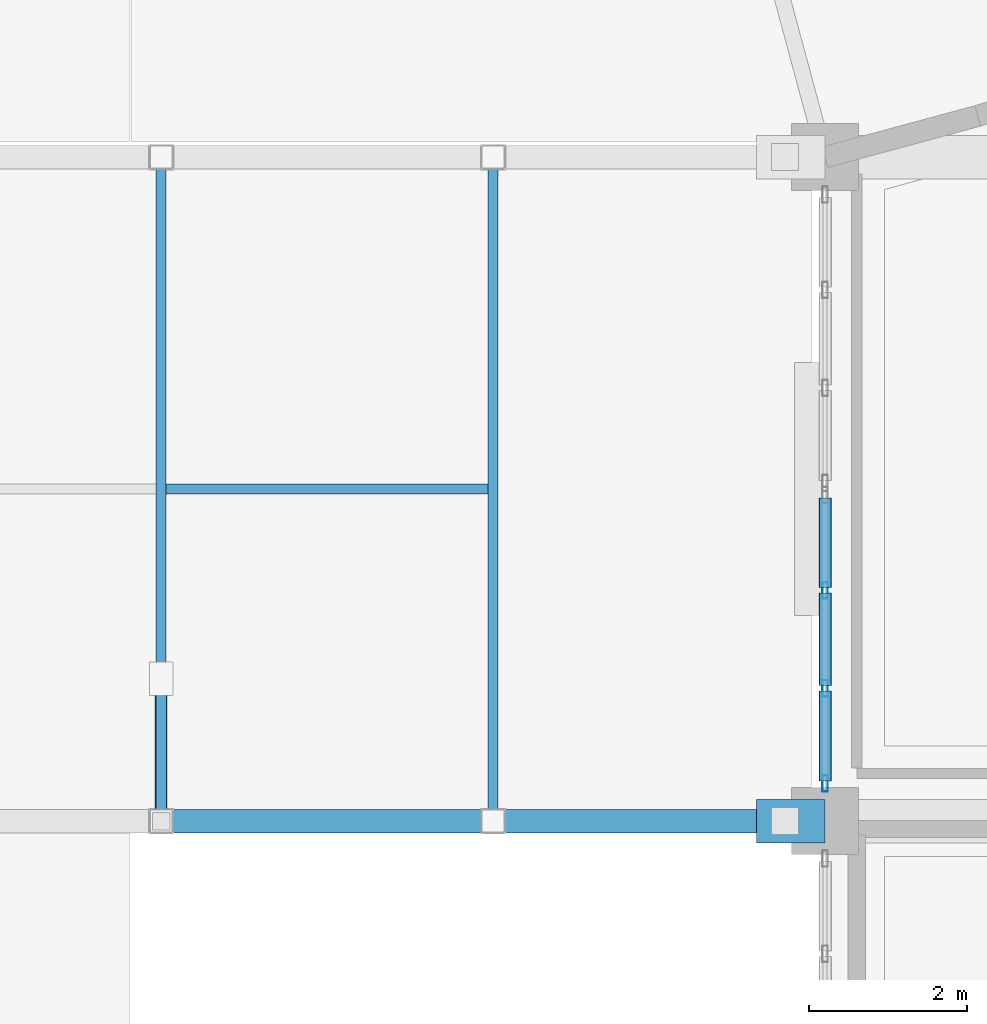
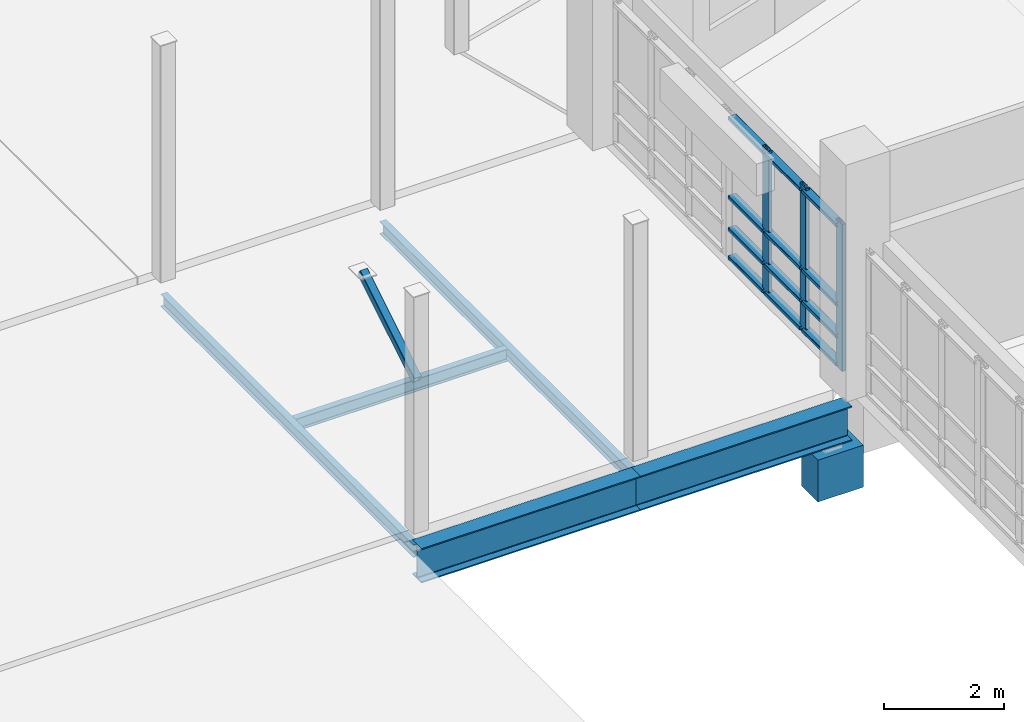
# One storey, part 23 of 97: 16 members, 6 beams, 1 element without a shape of its own.
"""IFC4 building model written with IfcOpenShell, lengths in metres."""

import ifcopenshell
import ifcopenshell.guid

model = None  # the IFC model being written
_history = None  # IfcOwnerHistory: only IFC2X3 demands one
_inside = {}  # id of a spatial element -> (the spatial element, [elements in it])
_under = {}  # id of a project, library or spatial element -> (it, [spatial elements below it])
_declared = {}  # id of a project -> (the project, [libraries it declares])
_typed = {}  # id of a type object -> (the type object, [elements of that type])
_made_of = {}  # id of a material, layer set ... -> (it, [elements and type objects made of it])


def new_model(schema):
    """Start an empty IFC model of exactly this schema.

    Asked for "IFC4X3", IfcOpenShell would pick the latest addendum, in which some entities
    have other attributes; the version numbers below select the first issue.
    IFC2X3 requires an IfcOwnerHistory on every rooted entity: one is made here for all.
    """
    global model, _history
    if schema == "IFC4X3":
        model = ifcopenshell.file(schema_version=(4, 3, 0, 0))
    else:
        model = ifcopenshell.file(schema=schema)
    _inside.clear()
    _under.clear()
    _declared.clear()
    _typed.clear()
    _made_of.clear()
    _history = None
    if model.schema == "IFC2X3":
        org = make("IfcOrganization", Name="unknown")
        user = make(
            "IfcPersonAndOrganization",
            ThePerson=make("IfcPerson", FamilyName="unknown"),
            TheOrganization=org,
        )
        app = make(
            "IfcApplication",
            ApplicationDeveloper=org,
            Version="unknown",
            ApplicationFullName="unknown",
            ApplicationIdentifier="unknown",
        )
        _history = make(
            "IfcOwnerHistory",
            OwningUser=user,
            OwningApplication=app,
            ChangeAction="ADDED",
            CreationDate=0,
        )
    return model


def make(cls, **values):
    """One entity of the class cls with the attributes given. An attribute that is None is left unset."""
    return model.create_entity(
        cls, **{name: value for name, value in values.items() if value is not None}
    )


def rooted(cls, **values):
    """An entity with a GlobalId (a new one), such as an element, a storey or a relation."""
    return make(cls, GlobalId=ifcopenshell.guid.new(), OwnerHistory=_history, **values)


def si_unit(unit_type, name, prefix=None):
    """IfcSIUnit, for example si_unit("LENGTHUNIT", "METRE", prefix="MILLI")."""
    return make("IfcSIUnit", UnitType=unit_type, Prefix=prefix, Name=name)


def assignment(units):
    """IfcUnitAssignment: the units of a project."""
    return None if units is None else make("IfcUnitAssignment", Units=units)


def point(xyz):
    """IfcCartesianPoint."""
    return None if xyz is None else make("IfcCartesianPoint", Coordinates=xyz)


def direction(xyz):
    """IfcDirection."""
    return None if xyz is None else make("IfcDirection", DirectionRatios=xyz)


def frame(location, z_axis=None, x_axis=None):
    """IfcAxis2Placement3D, a coordinate frame: its origin and axes. An axis left out is left unset."""
    return make(
        "IfcAxis2Placement3D",
        Location=point(location),
        Axis=direction(z_axis),
        RefDirection=direction(x_axis),
    )


def frame_2d(location, x_axis=None):
    """IfcAxis2Placement2D, a coordinate frame in the plane: its origin and x axis."""
    return make(
        "IfcAxis2Placement2D", Location=point(location), RefDirection=direction(x_axis)
    )


def origin():
    """The frame at (0, 0, 0) with its axes left unset."""
    return frame((0.0, 0.0, 0.0))


def origin_2d():
    """The frame at (0, 0) in the plane with its x axis left unset."""
    return frame_2d((0.0, 0.0))


def place(relative_to, where):
    """IfcLocalPlacement: puts the frame where relative to a parent placement (None: the world)."""
    return make(
        "IfcLocalPlacement", PlacementRelTo=relative_to, RelativePlacement=where
    )


def context(
    kind, dimensions, precision=None, world=None, true_north=None, identifier=None
):
    """IfcGeometricRepresentationContext, for example the 3D "Model" context."""
    return make(
        "IfcGeometricRepresentationContext",
        ContextIdentifier=identifier,
        ContextType=kind,
        CoordinateSpaceDimension=dimensions,
        Precision=precision,
        WorldCoordinateSystem=world,
        TrueNorth=true_north,
    )


def subcontext(parent, identifier, kind, view, scale=None):
    """IfcGeometricRepresentationSubContext, for example "Body" below "Model"."""
    return make(
        "IfcGeometricRepresentationSubContext",
        ContextIdentifier=identifier,
        ContextType=kind,
        ParentContext=parent,
        TargetScale=scale,
        TargetView=view,
    )


def project(units=None, contexts=None):
    """IfcProject with its units and contexts."""
    return rooted(
        "IfcProject",
        Name="project",
        RepresentationContexts=contexts,
        UnitsInContext=assignment(units),
    )


def spatial(cls, under=None, at=None, **own):
    """A site, building, storey or space (cls), placed at a placement, below another one or the project."""
    s = rooted(cls, ObjectPlacement=at, **own)
    if under is not None:
        _under.setdefault(under.id(), (under, []))[1].append(s)
    return s


def profile(cls, at=None, kind="AREA", **sizes):
    """A parametric profile (cls). Its sizes go by their IFC names, for example OverallWidth=200.0."""
    return make(cls, ProfileType=kind, Position=at, **sizes)


def rectangle(**sizes):
    """IfcRectangleProfileDef."""
    return profile("IfcRectangleProfileDef", **sizes)


def hollow_rectangle(**sizes):
    """IfcRectangleHollowProfileDef."""
    return profile("IfcRectangleHollowProfileDef", **sizes)


def i_section(**sizes):
    """IfcIShapeProfileDef."""
    return profile("IfcIShapeProfileDef", **sizes)


def extrude(swept, where, along, depth):
    """IfcExtrudedAreaSolid: the profile swept, set in the frame where, extruded along a direction by depth."""
    return make(
        "IfcExtrudedAreaSolid",
        SweptArea=swept,
        Position=where,
        ExtrudedDirection=direction(along),
        Depth=depth,
    )


def shape(context_of_items, identifier, shape_type, items):
    """IfcShapeRepresentation: the items that make up one representation, for example the "Body"."""
    return make(
        "IfcShapeRepresentation",
        ContextOfItems=context_of_items,
        RepresentationIdentifier=identifier,
        RepresentationType=shape_type,
        Items=items,
    )


def material(Name=None, Category=None):
    """IfcMaterial."""
    return make("IfcMaterial", Name=Name, Category=Category)


def layer(
    of_material, thickness, ventilated=None, Name=None, Category=None, Priority=None
):
    """IfcMaterialLayer: one layer of a wall or slab, of a material (None: an air gap)."""
    return make(
        "IfcMaterialLayer",
        Material=of_material,
        LayerThickness=thickness,
        IsVentilated=ventilated,
        Name=Name,
        Category=Category,
        Priority=Priority,
    )


def layer_set(layers, Name=None):
    """IfcMaterialLayerSet."""
    return make("IfcMaterialLayerSet", MaterialLayers=layers, LayerSetName=Name)


def material_profile(
    of_material, cross_section, Name=None, Category=None, Priority=None
):
    """IfcMaterialProfile: a cross section and its material."""
    return make(
        "IfcMaterialProfile",
        Name=Name,
        Material=of_material,
        Profile=cross_section,
        Priority=Priority,
        Category=Category,
    )


def profile_set(profiles, Name=None, composite=None):
    """IfcMaterialProfileSet."""
    return make(
        "IfcMaterialProfileSet",
        Name=Name,
        MaterialProfiles=profiles,
        CompositeProfile=composite,
    )


def made_of(thing, what):
    """Note that an element or type object is made of a material, layer set ...; save() writes the relation."""
    if what is not None:
        _made_of.setdefault(what.id(), (what, []))[1].append(thing)
    return thing


def type_object(cls, material=None, **own):
    """A type object (cls), such as IfcWallType, which elements share."""
    return made_of(rooted(cls, **own), material)


def element(
    cls,
    number,
    at=None,
    inside=None,
    cuts=None,
    type_object=None,
    material=None,
    context=None,
    identifier="Body",
    shape_type=None,
    held_by="IfcProductDefinitionShape",
    body=None,
    shapes=None,
    **own,
):
    """One element of the class cls, such as IfcWall. Its Tag is "e" and its number.

    at: its placement. inside: the storey or other place that contains it. cuts: it is an
    opening in that element (IfcRelVoidsElement). A single representation is given by context,
    identifier, shape_type and body (its items); several are given by shapes. held_by: the class
    of the entity that holds the representations. save() writes the other relations.
    """
    e = rooted(cls, Tag="e%d" % number, ObjectPlacement=at, **own)
    if body is not None:
        shapes = [shape(context, identifier, shape_type, body)]
    if shapes is not None:
        e.Representation = make(held_by, Representations=shapes)
    if inside is not None:
        _inside.setdefault(inside.id(), (inside, []))[1].append(e)
    if cuts is not None:
        rooted(
            "IfcRelVoidsElement", RelatingBuildingElement=cuts, RelatedOpeningElement=e
        )
    if type_object is not None:
        _typed.setdefault(type_object.id(), (type_object, []))[1].append(e)
    return made_of(e, material)


def aggregate(whole, parts):
    """IfcRelAggregates: a whole, such as a stair, and the parts it consists of."""
    return rooted("IfcRelAggregates", RelatingObject=whole, RelatedObjects=parts)


def save(model, path):
    """Write the relations noted so far, then the file.

    IfcRelAggregates (storeys below a building ...), IfcRelContainedInSpatialStructure (elements
    in a storey), IfcRelDefinesByType, IfcRelAssociatesMaterial and IfcRelDeclares: one each for
    every whole, place, type object, material and project.
    """
    for whole, parts in _under.values():
        aggregate(whole, parts)
    for where, things in _inside.values():
        rooted(
            "IfcRelContainedInSpatialStructure",
            RelatedElements=things,
            RelatingStructure=where,
        )
    for kind, things in _typed.values():
        rooted("IfcRelDefinesByType", RelatedObjects=things, RelatingType=kind)
    for what, things in _made_of.values():
        rooted("IfcRelAssociatesMaterial", RelatedObjects=things, RelatingMaterial=what)
    for by, libraries in _declared.values():
        rooted("IfcRelDeclares", RelatingContext=by, RelatedDefinitions=libraries)
    model.write(path)


model = new_model("IFC4")

# Units and contexts
model_context = context("Model", 3, precision=1e-05, world=origin(), true_north=direction((0.0, 1.0)))
body_context = subcontext(model_context, "Body", "Model", "MODEL_VIEW")
ifc_project = project(units=[si_unit("LENGTHUNIT", "METRE"), si_unit("AREAUNIT", "SQUARE_METRE"), si_unit("VOLUMEUNIT", "CUBIC_METRE"), si_unit("PLANEANGLEUNIT", "RADIAN"), si_unit("MASSUNIT", "GRAM", prefix="KILO")], contexts=[model_context])

# Site, building, storey
site_placement = place(None, origin())
site = spatial("IfcSite", under=ifc_project, at=site_placement, CompositionType="ELEMENT")
building_placement = place(site_placement, origin())
building = spatial("IfcBuilding", under=site, at=building_placement, Name="Kisaragi Civic Commons", CompositionType="ELEMENT")
storey_placement = place(building_placement, origin())
storey = spatial("IfcBuildingStorey", under=building, at=storey_placement, Name="L00", CompositionType="ELEMENT", Elevation=0.0)

# Beam
ifc_material_1 = material(Name="Concrete Fc36", Category="concrete")
ifc_material_profile_1 = material_profile(ifc_material_1, rectangle(XDim=0.550048828125, YDim=0.85009765625, at=origin_2d()), Name="RC-550x850", Category="concrete")
ifc_profile_set_1 = profile_set([ifc_material_profile_1], Name="Concrete Fc36")
beam_type_1 = type_object("IfcBeamType", Name="CB-01", PredefinedType="BEAM", material=ifc_profile_set_1)
beam_1_placement = place(storey_placement, frame((105.60009765625, 8.39990234375, -1.530029296875), z_axis=(-1.0, 0.0, 0.0), x_axis=(0.0, -1.0, 0.0)))
element("IfcBeam", 1, at=beam_1_placement, inside=storey, type_object=beam_type_1, Name="BR-V1-V3 L00 seismic corbel 178", PredefinedType="BEAM", context=body_context, shape_type="SweptSolid", body=[
    extrude(rectangle(XDim=0.550048828125, YDim=0.85009765625, at=origin_2d()), origin(), (0.0, 0.0, 1.0), 0.8701171875),
])

# Curtain wall, members
ifc_material_2 = material(Name="Thermally broken anodized aluminium and low-E double glazing", Category="aluminium")
ifc_layer = layer(ifc_material_2, 0.2099609375, Name="Thermally broken anodized aluminium and low-E double glazing", Category="aluminium")
ifc_layer_set = layer_set([ifc_layer], Name="Thermally broken anodized aluminium and low-E double glazing")
curtain_wall_type = type_object("IfcCurtainWallType", Name="CW-02", PredefinedType="NOTDEFINED", material=ifc_layer_set)
curtain_wall_placement = place(storey_placement, origin())
curtain_wall = element("IfcCurtainWall", 2, at=curtain_wall_placement, inside=storey, type_object=curtain_wall_type, Name="L00 curtain wall CW-02 CW-V3-L00-017", PredefinedType="NOTDEFINED")
ifc_material_profile_2 = material_profile(ifc_material_2, hollow_rectangle(XDim=0.070068359375, YDim=0.2099609375, WallThickness=0.0048828125, InnerFilletRadius=0.0048828125, OuterFilletRadius=0.010009765625, at=origin_2d()), Name="CWM-70x210x5", Category="aluminium")
ifc_profile_set_2 = profile_set([ifc_material_profile_2], Name="Thermally broken anodized aluminium and low-E double glazing")
member_type_1 = type_object("IfcMemberType", Name="CWM-03", PredefinedType="MULLION", material=ifc_profile_set_2)
member_1_placement = place(storey_placement, frame((105.60009765625, 8.875, 0.0), z_axis=(0.0, 0.0, 1.0), x_axis=(-1.0, 0.0, 0.0)))
member_1 = element("IfcMember", 3, at=member_1_placement, type_object=member_type_1, Name="CW-02 mullion 1", PredefinedType="MULLION", context=body_context, shape_type="SweptSolid", body=[
    extrude(hollow_rectangle(XDim=0.070068359375, YDim=0.2099609375, WallThickness=0.0048828125, InnerFilletRadius=0.0048828125, OuterFilletRadius=0.010009765625, at=origin_2d()), origin(), (0.0, 0.0, 1.0), 2.97998046875),
])
member_2_placement = place(storey_placement, frame((105.60009765625, 10.080078125, 0.0), z_axis=(0.0, 0.0, 1.0), x_axis=(-1.0, 0.0, 0.0)))
member_2 = element("IfcMember", 4, at=member_2_placement, type_object=member_type_1, Name="CW-02 mullion 2", PredefinedType="MULLION", context=body_context, shape_type="SweptSolid", body=[
    extrude(hollow_rectangle(XDim=0.070068359375, YDim=0.2099609375, WallThickness=0.0048828125, InnerFilletRadius=0.0048828125, OuterFilletRadius=0.010009765625, at=origin_2d()), origin(), (0.0, 0.0, 1.0), 2.97998046875),
])
member_3_placement = place(storey_placement, frame((105.60009765625, 11.320068359375, 0.0), z_axis=(0.0, 0.0, 1.0), x_axis=(-1.0, 0.0, 0.0)))
member_3 = element("IfcMember", 5, at=member_3_placement, type_object=member_type_1, Name="CW-02 mullion 3", PredefinedType="MULLION", context=body_context, shape_type="SweptSolid", body=[
    extrude(hollow_rectangle(XDim=0.070068359375, YDim=0.2099609375, WallThickness=0.0048828125, InnerFilletRadius=0.0048828125, OuterFilletRadius=0.010009765625, at=origin_2d()), origin(), (0.0, 0.0, 1.0), 2.97998046875),
])
ifc_material_profile_3 = material_profile(ifc_material_2, hollow_rectangle(XDim=0.159912109375, YDim=0.070068359375, WallThickness=0.0048828125, InnerFilletRadius=0.0048828125, OuterFilletRadius=0.010009765625, at=origin_2d()), Name="CWT-70x160x5", Category="aluminium")
ifc_profile_set_3 = profile_set([ifc_material_profile_3], Name="Thermally broken anodized aluminium and low-E double glazing")
member_type_2 = type_object("IfcMemberType", Name="CWT-03", PredefinedType="USERDEFINED", material=ifc_profile_set_3)
member_4_placement = place(storey_placement, frame((105.60009765625, 8.909912109375, 0.080078125), z_axis=(0.0, 1.0, 0.0), x_axis=(-1.0, 0.0, 0.0)))
member_4 = element("IfcMember", 6, at=member_4_placement, type_object=member_type_2, Name="CW-02 transom 1.1", ObjectType="TRANSOM", PredefinedType="USERDEFINED", context=body_context, shape_type="SweptSolid", body=[
    extrude(hollow_rectangle(XDim=0.159912109375, YDim=0.070068359375, WallThickness=0.0048828125, InnerFilletRadius=0.0048828125, OuterFilletRadius=0.010009765625, at=origin_2d()), origin(), (0.0, 0.0, 1.0), 1.135009765625),
])
member_5_placement = place(storey_placement, frame((105.60009765625, 8.909912109375, 0.64990234375), z_axis=(0.0, 1.0, 0.0), x_axis=(-1.0, 0.0, 0.0)))
member_5 = element("IfcMember", 7, at=member_5_placement, type_object=member_type_2, Name="CW-02 transom 1.2", ObjectType="TRANSOM", PredefinedType="USERDEFINED", context=body_context, shape_type="SweptSolid", body=[
    extrude(hollow_rectangle(XDim=0.159912109375, YDim=0.070068359375, WallThickness=0.0048828125, InnerFilletRadius=0.0048828125, OuterFilletRadius=0.010009765625, at=origin_2d()), origin(), (0.0, 0.0, 1.0), 1.135009765625),
])
member_6_placement = place(storey_placement, frame((105.60009765625, 8.909912109375, 1.300048828125), z_axis=(0.0, 1.0, 0.0), x_axis=(-1.0, 0.0, 0.0)))
member_6 = element("IfcMember", 8, at=member_6_placement, type_object=member_type_2, Name="CW-02 transom 1.3", ObjectType="TRANSOM", PredefinedType="USERDEFINED", context=body_context, shape_type="SweptSolid", body=[
    extrude(hollow_rectangle(XDim=0.159912109375, YDim=0.070068359375, WallThickness=0.0048828125, InnerFilletRadius=0.0048828125, OuterFilletRadius=0.010009765625, at=origin_2d()), origin(), (0.0, 0.0, 1.0), 1.135009765625),
])
member_7_placement = place(storey_placement, frame((105.60009765625, 8.909912109375, 2.89990234375), z_axis=(0.0, 1.0, 0.0), x_axis=(-1.0, 0.0, 0.0)))
member_7 = element("IfcMember", 9, at=member_7_placement, type_object=member_type_2, Name="CW-02 transom 1.4", ObjectType="TRANSOM", PredefinedType="USERDEFINED", context=body_context, shape_type="SweptSolid", body=[
    extrude(hollow_rectangle(XDim=0.159912109375, YDim=0.070068359375, WallThickness=0.0048828125, InnerFilletRadius=0.0048828125, OuterFilletRadius=0.010009765625, at=origin_2d()), origin(), (0.0, 0.0, 1.0), 1.135009765625),
])
member_8_placement = place(storey_placement, frame((105.60009765625, 10.114990234375, 0.080078125), z_axis=(0.0, 1.0, 0.0), x_axis=(-1.0, 0.0, 0.0)))
member_8 = element("IfcMember", 10, at=member_8_placement, type_object=member_type_2, Name="CW-02 transom 2.1", ObjectType="TRANSOM", PredefinedType="USERDEFINED", context=body_context, shape_type="SweptSolid", body=[
    extrude(hollow_rectangle(XDim=0.159912109375, YDim=0.070068359375, WallThickness=0.0048828125, InnerFilletRadius=0.0048828125, OuterFilletRadius=0.010009765625, at=origin_2d()), origin(), (0.0, 0.0, 1.0), 1.169921875),
])
member_9_placement = place(storey_placement, frame((105.60009765625, 10.114990234375, 0.64990234375), z_axis=(0.0, 1.0, 0.0), x_axis=(-1.0, 0.0, 0.0)))
member_9 = element("IfcMember", 11, at=member_9_placement, type_object=member_type_2, Name="CW-02 transom 2.2", ObjectType="TRANSOM", PredefinedType="USERDEFINED", context=body_context, shape_type="SweptSolid", body=[
    extrude(hollow_rectangle(XDim=0.159912109375, YDim=0.070068359375, WallThickness=0.0048828125, InnerFilletRadius=0.0048828125, OuterFilletRadius=0.010009765625, at=origin_2d()), origin(), (0.0, 0.0, 1.0), 1.169921875),
])
member_10_placement = place(storey_placement, frame((105.60009765625, 10.114990234375, 1.300048828125), z_axis=(0.0, 1.0, 0.0), x_axis=(-1.0, 0.0, 0.0)))
member_10 = element("IfcMember", 12, at=member_10_placement, type_object=member_type_2, Name="CW-02 transom 2.3", ObjectType="TRANSOM", PredefinedType="USERDEFINED", context=body_context, shape_type="SweptSolid", body=[
    extrude(hollow_rectangle(XDim=0.159912109375, YDim=0.070068359375, WallThickness=0.0048828125, InnerFilletRadius=0.0048828125, OuterFilletRadius=0.010009765625, at=origin_2d()), origin(), (0.0, 0.0, 1.0), 1.169921875),
])
member_11_placement = place(storey_placement, frame((105.60009765625, 10.114990234375, 2.89990234375), z_axis=(0.0, 1.0, 0.0), x_axis=(-1.0, 0.0, 0.0)))
member_11 = element("IfcMember", 13, at=member_11_placement, type_object=member_type_2, Name="CW-02 transom 2.4", ObjectType="TRANSOM", PredefinedType="USERDEFINED", context=body_context, shape_type="SweptSolid", body=[
    extrude(hollow_rectangle(XDim=0.159912109375, YDim=0.070068359375, WallThickness=0.0048828125, InnerFilletRadius=0.0048828125, OuterFilletRadius=0.010009765625, at=origin_2d()), origin(), (0.0, 0.0, 1.0), 1.169921875),
])
member_12_placement = place(storey_placement, frame((105.60009765625, 11.35498046875, 0.080078125), z_axis=(0.0, 1.0, 0.0), x_axis=(-1.0, 0.0, 0.0)))
member_12 = element("IfcMember", 14, at=member_12_placement, type_object=member_type_2, Name="CW-02 transom 3.1", ObjectType="TRANSOM", PredefinedType="USERDEFINED", context=body_context, shape_type="SweptSolid", body=[
    extrude(hollow_rectangle(XDim=0.159912109375, YDim=0.070068359375, WallThickness=0.0048828125, InnerFilletRadius=0.0048828125, OuterFilletRadius=0.010009765625, at=origin_2d()), origin(), (0.0, 0.0, 1.0), 1.135009765625),
])
member_13_placement = place(storey_placement, frame((105.60009765625, 11.35498046875, 0.64990234375), z_axis=(0.0, 1.0, 0.0), x_axis=(-1.0, 0.0, 0.0)))
member_13 = element("IfcMember", 15, at=member_13_placement, type_object=member_type_2, Name="CW-02 transom 3.2", ObjectType="TRANSOM", PredefinedType="USERDEFINED", context=body_context, shape_type="SweptSolid", body=[
    extrude(hollow_rectangle(XDim=0.159912109375, YDim=0.070068359375, WallThickness=0.0048828125, InnerFilletRadius=0.0048828125, OuterFilletRadius=0.010009765625, at=origin_2d()), origin(), (0.0, 0.0, 1.0), 1.135009765625),
])
member_14_placement = place(storey_placement, frame((105.60009765625, 11.35498046875, 1.300048828125), z_axis=(0.0, 1.0, 0.0), x_axis=(-1.0, 0.0, 0.0)))
member_14 = element("IfcMember", 16, at=member_14_placement, type_object=member_type_2, Name="CW-02 transom 3.3", ObjectType="TRANSOM", PredefinedType="USERDEFINED", context=body_context, shape_type="SweptSolid", body=[
    extrude(hollow_rectangle(XDim=0.159912109375, YDim=0.070068359375, WallThickness=0.0048828125, InnerFilletRadius=0.0048828125, OuterFilletRadius=0.010009765625, at=origin_2d()), origin(), (0.0, 0.0, 1.0), 1.135009765625),
])
member_15_placement = place(storey_placement, frame((105.60009765625, 11.35498046875, 2.89990234375), z_axis=(0.0, 1.0, 0.0), x_axis=(-1.0, 0.0, 0.0)))
member_15 = element("IfcMember", 17, at=member_15_placement, type_object=member_type_2, Name="CW-02 transom 3.4", ObjectType="TRANSOM", PredefinedType="USERDEFINED", context=body_context, shape_type="SweptSolid", body=[
    extrude(hollow_rectangle(XDim=0.159912109375, YDim=0.070068359375, WallThickness=0.0048828125, InnerFilletRadius=0.0048828125, OuterFilletRadius=0.010009765625, at=origin_2d()), origin(), (0.0, 0.0, 1.0), 1.135009765625),
])
aggregate(curtain_wall, [member_1, member_2, member_3, member_4, member_5, member_6, member_7, member_8, member_9, member_10, member_11, member_12, member_13, member_14, member_15])

# Beams
ifc_material_3 = material(Name="Steel SN490 (SN490B)", Category="steel")
ifc_material_profile_4 = material_profile(ifc_material_3, i_section(OverallWidth=0.300048828125, OverallDepth=0.699951171875, WebThickness=0.012939453125, FlangeThickness=0.02392578125, FilletRadius=0.01806640625, at=origin_2d()), Name="H-700x300x13x24", Category="steel")
ifc_profile_set_4 = profile_set([ifc_material_profile_4], Name="Steel SN490 (SN490B)")
beam_type_2 = type_object("IfcBeamType", Name="G-09", PredefinedType="BEAM", material=ifc_profile_set_4)
beam_2_placement = place(storey_placement, frame((97.199951171875, 8.39990234375, -0.68994140625), z_axis=(1.0, 0.0, 0.0), x_axis=(0.0, 1.0, 0.0)))
element("IfcBeam", 18, at=beam_2_placement, inside=storey, type_object=beam_type_2, Name="BR-V1-V3 L00 bridge girder 176", PredefinedType="BEAM", context=body_context, shape_type="SweptSolid", body=[
    extrude(i_section(OverallWidth=0.300048828125, OverallDepth=0.699951171875, WebThickness=0.012939453125, FlangeThickness=0.02392578125, FilletRadius=0.01806640625, at=origin_2d()), origin(), (0.0, 0.0, 1.0), 4.199951171875),
])
beam_3_placement = place(storey_placement, frame((101.39990234375, 8.39990234375, -0.68994140625), z_axis=(1.0, 0.0, 0.0), x_axis=(0.0, 1.0, 0.0)))
element("IfcBeam", 19, at=beam_3_placement, inside=storey, type_object=beam_type_2, Name="BR-V1-V3 L00 bridge girder 177", PredefinedType="BEAM", context=body_context, shape_type="SweptSolid", body=[
    extrude(i_section(OverallWidth=0.300048828125, OverallDepth=0.699951171875, WebThickness=0.012939453125, FlangeThickness=0.02392578125, FilletRadius=0.01806640625, at=origin_2d()), origin(), (0.0, 0.0, 1.0), 4.050048828125),
])
ifc_material_4 = material(Name="Steel SN400 (SN400B)", Category="steel")
ifc_material_profile_5 = material_profile(ifc_material_4, i_section(OverallWidth=0.125, OverallDepth=0.25, WebThickness=0.006103515625, FlangeThickness=0.009033203125, FilletRadius=0.008056640625, at=origin_2d()), Name="H-250x125x6x9", Category="steel")
ifc_profile_set_5 = profile_set([ifc_material_profile_5], Name="Steel SN400 (SN400B)")
beam_type_3 = type_object("IfcBeamType", Name="J-05", PredefinedType="JOIST", material=ifc_profile_set_5)
for number, where, z_axis, x_axis, name in (
    (20, (97.199951171875, 8.39990234375, -0.465087890625), (0.0, 1.0, 0.0), (-1.0, 0.0, 0.0), "BR-V1-V3 L00 cross joist 195"),
    (21, (101.39990234375, 8.39990234375, -0.465087890625), (0.0, 1.0, 0.0), (-1.0, 0.0, 0.0), "BR-V1-V3 L00 cross joist 196"),
):
    element("IfcBeam", number, at=place(storey_placement, frame(where, z_axis=z_axis, x_axis=x_axis)), inside=storey, type_object=beam_type_3, Name=name, PredefinedType="JOIST", context=body_context, shape_type="SweptSolid", body=[
        extrude(i_section(OverallWidth=0.125, OverallDepth=0.25, WebThickness=0.006103515625, FlangeThickness=0.009033203125, FilletRadius=0.008056640625, at=origin_2d()), origin(), (0.0, 0.0, 1.0), 8.400146484375),
    ])
beam_4_placement = place(storey_placement, frame((97.262451171875, 12.60009765625, -0.465087890625), z_axis=(1.0, 0.0, 0.0), x_axis=(0.0, 1.0, 0.0)))
element("IfcBeam", 22, at=beam_4_placement, inside=storey, type_object=beam_type_3, Name="BR-V1-V3 L00 spine joist 203", PredefinedType="JOIST", context=body_context, shape_type="SweptSolid", body=[
    extrude(i_section(OverallWidth=0.125, OverallDepth=0.25, WebThickness=0.006103515625, FlangeThickness=0.009033203125, FilletRadius=0.008056640625, at=origin_2d()), origin(), (0.0, 0.0, 1.0), 4.074951171875),
])

# Member
ifc_material_5 = material(Name="Steel STKR400", Category="steel")
ifc_material_profile_6 = material_profile(ifc_material_5, hollow_rectangle(XDim=0.14990234375, YDim=0.14990234375, WallThickness=0.006103515625, InnerFilletRadius=0.006103515625, OuterFilletRadius=0.011962890625, at=origin_2d()), Name="STKR-150x150x6", Category="steel")
ifc_profile_set_6 = profile_set([ifc_material_profile_6], Name="Steel STKR400")
member_type_3 = type_object("IfcMemberType", Name="ST-C1", PredefinedType="STRUT", material=ifc_profile_set_6)
member_16_placement = place(storey_placement, frame((97.199951171875, 8.39990234375, 3.0), z_axis=(0.0, 0.853267529787, 0.521473415057), x_axis=(-1.0, 0.0, 0.0)))
element("IfcMember", 23, at=member_16_placement, inside=storey, type_object=member_type_3, Name="Entrance canopy knee-brace strut 6", PredefinedType="STRUT", context=body_context, shape_type="SweptSolid", body=[
    extrude(hollow_rectangle(XDim=0.14990234375, YDim=0.14990234375, WallThickness=0.006103515625, InnerFilletRadius=0.006103515625, OuterFilletRadius=0.011962890625, at=origin_2d()), origin(), (0.0, 0.0, 1.0), 2.109619140625),
])

save(model, "model.ifc")
